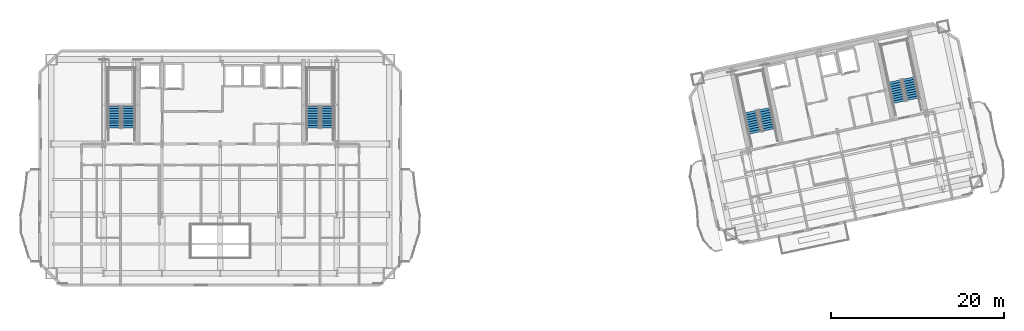
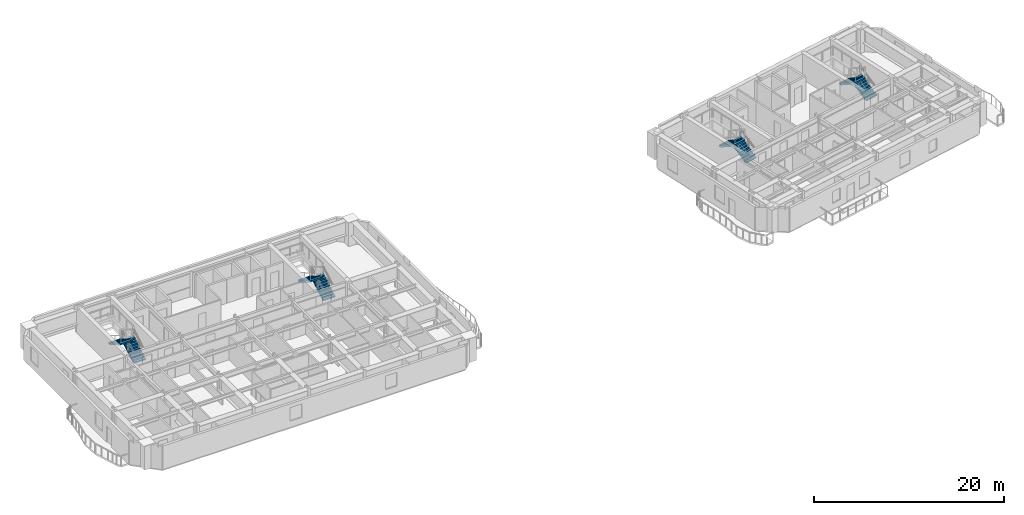
# One storey, part 12 of 16: 8 stair flights, 4 elements without a shape of their own.
"""IFC4 building model written with IfcOpenShell, lengths in metres."""

from ifc_helpers import new_model, si_unit, direction, frame, origin, place, context, subcontext, project, spatial, polyline, outline, extrude, material, type_object, element, aggregate, save


model = new_model("IFC4")

# Units and contexts
model_context = context("Model", 3, precision=1e-05, world=origin(), true_north=direction((0.0, 1.0)))
body_context = subcontext(model_context, "Body", "Model", "MODEL_VIEW")
ifc_project = project(units=[si_unit("LENGTHUNIT", "METRE"), si_unit("AREAUNIT", "SQUARE_METRE"), si_unit("VOLUMEUNIT", "CUBIC_METRE"), si_unit("PLANEANGLEUNIT", "RADIAN"), si_unit("MASSUNIT", "GRAM", prefix="KILO")], contexts=[model_context])

# Site, building, storey
site_placement = place(None, origin())
site = spatial("IfcSite", under=ifc_project, at=site_placement, CompositionType="ELEMENT")
building_placement = place(site_placement, origin())
building = spatial("IfcBuilding", under=site, at=building_placement, Name="Haevon Station Towers", CompositionType="ELEMENT")
storey_placement = place(building_placement, frame((0.0, 0.0, 172.5)))
storey = spatial("IfcBuildingStorey", under=building, at=storey_placement, Name="L47", CompositionType="ELEMENT", Elevation=172.5)

# Stair, stair flights
ifc_material = material(Name="Concrete C40/50", Category="concrete")
stair_type = type_object("IfcStairType", Name="STR-DL1450", PredefinedType="USERDEFINED", material=ifc_material)
stair_1_placement = place(storey_placement, origin())
stair_1 = element("IfcStair", 1, at=stair_1_placement, inside=storey, type_object=stair_type, Name="L47 Escape Stair ST1", ObjectType="TWO_RETURN_STAIR", PredefinedType="USERDEFINED")
stair_flight_type = type_object("IfcStairFlightType", Name="STF-ST1450", PredefinedType="STRAIGHT", material=ifc_material)
stair_flight_1_placement = place(storey_placement, frame((26.85498046875, 40.050048828125, 0.0), z_axis=(0.0, 0.0, 1.0), x_axis=(0.0, 1.0, 0.0)))
stair_flight_1 = element("IfcStairFlight", 2, at=stair_flight_1_placement, type_object=stair_flight_type, Name="L47 ST1 Flight 1", NumberOfRisers=10, NumberOfTreads=9, PredefinedType="STRAIGHT", RiserHeight=0.165, TreadLength=0.28, context=body_context, shape_type="SweptSolid", body=[
    extrude(outline(polyline([(0.0, 0.0), (0.0, 0.1650390625), (0.280029296875, 0.1650390625), (0.280029296875, 0.330078125), (0.56005859375, 0.330078125), (0.56005859375, 0.4951171875), (0.840087890625, 0.4951171875), (0.840087890625, 0.659912109375), (1.1201171875, 0.659912109375), (1.1201171875, 0.824951171875), (1.39990234375, 0.824951171875), (1.39990234375, 0.989990234375), (1.679931640625, 0.989990234375), (1.679931640625, 1.155029296875), (1.9599609375, 1.155029296875), (1.9599609375, 1.320068359375), (2.239990234375, 1.320068359375), (2.239990234375, 1.485107421875), (2.52001953125, 1.485107421875), (2.52001953125, 1.64990234375), (2.52001953125, 1.29931640625), (0.31494140625, 0.0), (0.0, 0.0)])), frame((0.0, 0.72509765625, 0.0), z_axis=(0.0, -1.0, 0.0), x_axis=(1.0, 0.0, 0.0)), (0.0, 0.0, 1.0), 1.449951171875),
])
stair_flight_2_placement = place(storey_placement, frame((25.205078125, 42.570068359375, 1.64990234375), z_axis=(0.0, 0.0, 1.0), x_axis=(0.0, -1.0, 0.0)))
stair_flight_2 = element("IfcStairFlight", 3, at=stair_flight_2_placement, type_object=stair_flight_type, Name="L47 ST1 Flight 2", NumberOfRisers=10, NumberOfTreads=9, PredefinedType="STRAIGHT", RiserHeight=0.165, TreadLength=0.28, context=body_context, shape_type="SweptSolid", body=[
    extrude(outline(polyline([(0.0, 0.0), (0.0, 0.1650390625), (0.280029296875, 0.1650390625), (0.280029296875, 0.330078125), (0.56005859375, 0.330078125), (0.56005859375, 0.4951171875), (0.840087890625, 0.4951171875), (0.840087890625, 0.659912109375), (1.1201171875, 0.659912109375), (1.1201171875, 0.824951171875), (1.39990234375, 0.824951171875), (1.39990234375, 0.989990234375), (1.679931640625, 0.989990234375), (1.679931640625, 1.155029296875), (1.9599609375, 1.155029296875), (1.9599609375, 1.320068359375), (2.239990234375, 1.320068359375), (2.239990234375, 1.485107421875), (2.52001953125, 1.485107421875), (2.52001953125, 1.64990234375), (2.52001953125, 1.29931640625), (0.31494140625, 0.0), (0.0, 0.0)])), frame((0.0, 0.72509765625, 0.0), z_axis=(0.0, -1.0, 0.0), x_axis=(1.0, 0.0, 0.0)), (0.0, 0.0, 1.0), 1.449951171875),
])
aggregate(stair_1, [stair_flight_1, stair_flight_2])

stair_2_placement = place(storey_placement, origin())
stair_2 = element("IfcStair", 4, at=stair_2_placement, inside=storey, type_object=stair_type, Name="L47 Escape Stair ST2", ObjectType="TWO_RETURN_STAIR", PredefinedType="USERDEFINED")
stair_flight_3_placement = place(storey_placement, frame((49.89501953125, 40.050048828125, 0.0), z_axis=(0.0, 0.0, 1.0), x_axis=(0.0, 1.0, 0.0)))
stair_flight_3 = element("IfcStairFlight", 5, at=stair_flight_3_placement, type_object=stair_flight_type, Name="L47 ST2 Flight 1", NumberOfRisers=10, NumberOfTreads=9, PredefinedType="STRAIGHT", RiserHeight=0.165, TreadLength=0.28, context=body_context, shape_type="SweptSolid", body=[
    extrude(outline(polyline([(0.0, 0.0), (0.0, 0.1650390625), (0.280029296875, 0.1650390625), (0.280029296875, 0.330078125), (0.56005859375, 0.330078125), (0.56005859375, 0.4951171875), (0.840087890625, 0.4951171875), (0.840087890625, 0.659912109375), (1.1201171875, 0.659912109375), (1.1201171875, 0.824951171875), (1.39990234375, 0.824951171875), (1.39990234375, 0.989990234375), (1.679931640625, 0.989990234375), (1.679931640625, 1.155029296875), (1.9599609375, 1.155029296875), (1.9599609375, 1.320068359375), (2.239990234375, 1.320068359375), (2.239990234375, 1.485107421875), (2.52001953125, 1.485107421875), (2.52001953125, 1.64990234375), (2.52001953125, 1.29931640625), (0.31494140625, 0.0), (0.0, 0.0)])), frame((0.0, 0.72509765625, 0.0), z_axis=(0.0, -1.0, 0.0), x_axis=(1.0, 0.0, 0.0)), (0.0, 0.0, 1.0), 1.449951171875),
])
stair_flight_4_placement = place(storey_placement, frame((48.2451171875, 42.570068359375, 1.64990234375), z_axis=(0.0, 0.0, 1.0), x_axis=(0.0, -1.0, 0.0)))
stair_flight_4 = element("IfcStairFlight", 6, at=stair_flight_4_placement, type_object=stair_flight_type, Name="L47 ST2 Flight 2", NumberOfRisers=10, NumberOfTreads=9, PredefinedType="STRAIGHT", RiserHeight=0.165, TreadLength=0.28, context=body_context, shape_type="SweptSolid", body=[
    extrude(outline(polyline([(0.0, 0.0), (0.0, 0.1650390625), (0.280029296875, 0.1650390625), (0.280029296875, 0.330078125), (0.56005859375, 0.330078125), (0.56005859375, 0.4951171875), (0.840087890625, 0.4951171875), (0.840087890625, 0.659912109375), (1.1201171875, 0.659912109375), (1.1201171875, 0.824951171875), (1.39990234375, 0.824951171875), (1.39990234375, 0.989990234375), (1.679931640625, 0.989990234375), (1.679931640625, 1.155029296875), (1.9599609375, 1.155029296875), (1.9599609375, 1.320068359375), (2.239990234375, 1.320068359375), (2.239990234375, 1.485107421875), (2.52001953125, 1.485107421875), (2.52001953125, 1.64990234375), (2.52001953125, 1.29931640625), (0.31494140625, 0.0), (0.0, 0.0)])), frame((0.0, 0.72509765625, 0.0), z_axis=(0.0, -1.0, 0.0), x_axis=(1.0, 0.0, 0.0)), (0.0, 0.0, 1.0), 1.449951171875),
])
aggregate(stair_2, [stair_flight_3, stair_flight_4])

stair_3_placement = place(storey_placement, origin())
stair_3 = element("IfcStair", 7, at=stair_3_placement, inside=storey, type_object=stair_type, Name="L47 Escape Stair ST3", ObjectType="TWO_RETURN_STAIR", PredefinedType="USERDEFINED")
stair_flight_5_placement = place(storey_placement, frame((101.1015625, 39.8330078125, 0.0), z_axis=(0.0, 0.0, 1.0), x_axis=(-0.207911690818, 0.978147600734, 0.0)))
stair_flight_5 = element("IfcStairFlight", 8, at=stair_flight_5_placement, type_object=stair_flight_type, Name="L47 ST3 Flight 1", NumberOfRisers=10, NumberOfTreads=9, PredefinedType="STRAIGHT", RiserHeight=0.165, TreadLength=0.28, context=body_context, shape_type="SweptSolid", body=[
    extrude(outline(polyline([(0.0, 0.0), (0.0, 0.1650390625), (0.280029296875, 0.1650390625), (0.280029296875, 0.330078125), (0.56005859375, 0.330078125), (0.56005859375, 0.4951171875), (0.840087890625, 0.4951171875), (0.840087890625, 0.659912109375), (1.1201171875, 0.659912109375), (1.1201171875, 0.824951171875), (1.39990234375, 0.824951171875), (1.39990234375, 0.989990234375), (1.679931640625, 0.989990234375), (1.679931640625, 1.155029296875), (1.9599609375, 1.155029296875), (1.9599609375, 1.320068359375), (2.239990234375, 1.320068359375), (2.239990234375, 1.485107421875), (2.52001953125, 1.485107421875), (2.52001953125, 1.64990234375), (2.52001953125, 1.29931640625), (0.31494140625, 0.0), (0.0, 0.0)])), frame((0.0, 0.72509765625, 0.0), z_axis=(0.0, -1.0, 0.0), x_axis=(1.0, 0.0, 0.0)), (0.0, 0.0, 1.0), 1.449951171875),
])
stair_flight_6_placement = place(storey_placement, frame((98.9638671875, 41.955078125, 1.64990234375), z_axis=(0.0, 0.0, 1.0), x_axis=(0.207911690818, -0.978147600734, 0.0)))
stair_flight_6 = element("IfcStairFlight", 9, at=stair_flight_6_placement, type_object=stair_flight_type, Name="L47 ST3 Flight 2", NumberOfRisers=10, NumberOfTreads=9, PredefinedType="STRAIGHT", RiserHeight=0.165, TreadLength=0.28, context=body_context, shape_type="SweptSolid", body=[
    extrude(outline(polyline([(0.0, 0.0), (0.0, 0.1650390625), (0.280029296875, 0.1650390625), (0.280029296875, 0.330078125), (0.56005859375, 0.330078125), (0.56005859375, 0.4951171875), (0.840087890625, 0.4951171875), (0.840087890625, 0.659912109375), (1.1201171875, 0.659912109375), (1.1201171875, 0.824951171875), (1.39990234375, 0.824951171875), (1.39990234375, 0.989990234375), (1.679931640625, 0.989990234375), (1.679931640625, 1.155029296875), (1.9599609375, 1.155029296875), (1.9599609375, 1.320068359375), (2.239990234375, 1.320068359375), (2.239990234375, 1.485107421875), (2.52001953125, 1.485107421875), (2.52001953125, 1.64990234375), (2.52001953125, 1.29931640625), (0.31494140625, 0.0), (0.0, 0.0)])), frame((0.0, 0.72509765625, 0.0), z_axis=(0.0, -1.0, 0.0), x_axis=(1.0, 0.0, 0.0)), (0.0, 0.0, 1.0), 1.449951171875),
])
aggregate(stair_3, [stair_flight_5, stair_flight_6])

stair_4_placement = place(storey_placement, origin())
stair_4 = element("IfcStair", 10, at=stair_4_placement, inside=storey, type_object=stair_type, Name="L47 Escape Stair ST4", ObjectType="TWO_RETURN_STAIR", PredefinedType="USERDEFINED")
stair_flight_7_placement = place(storey_placement, frame((117.788818359375, 43.380126953125, 0.0), z_axis=(0.0, 0.0, 1.0), x_axis=(-0.207911690818, 0.978147600734, 0.0)))
stair_flight_7 = element("IfcStairFlight", 11, at=stair_flight_7_placement, type_object=stair_flight_type, Name="L47 ST4 Flight 1", NumberOfRisers=10, NumberOfTreads=9, PredefinedType="STRAIGHT", RiserHeight=0.165, TreadLength=0.28, context=body_context, shape_type="SweptSolid", body=[
    extrude(outline(polyline([(0.0, 0.0), (0.0, 0.1650390625), (0.280029296875, 0.1650390625), (0.280029296875, 0.330078125), (0.56005859375, 0.330078125), (0.56005859375, 0.4951171875), (0.840087890625, 0.4951171875), (0.840087890625, 0.659912109375), (1.1201171875, 0.659912109375), (1.1201171875, 0.824951171875), (1.39990234375, 0.824951171875), (1.39990234375, 0.989990234375), (1.679931640625, 0.989990234375), (1.679931640625, 1.155029296875), (1.9599609375, 1.155029296875), (1.9599609375, 1.320068359375), (2.239990234375, 1.320068359375), (2.239990234375, 1.485107421875), (2.52001953125, 1.485107421875), (2.52001953125, 1.64990234375), (2.52001953125, 1.29931640625), (0.31494140625, 0.0), (0.0, 0.0)])), frame((0.0, 0.72509765625, 0.0), z_axis=(0.0, -1.0, 0.0), x_axis=(1.0, 0.0, 0.0)), (0.0, 0.0, 1.0), 1.449951171875),
])
stair_flight_8_placement = place(storey_placement, frame((115.65087890625, 45.501953125, 1.64990234375), z_axis=(0.0, 0.0, 1.0), x_axis=(0.207911690818, -0.978147600734, 0.0)))
stair_flight_8 = element("IfcStairFlight", 12, at=stair_flight_8_placement, type_object=stair_flight_type, Name="L47 ST4 Flight 2", NumberOfRisers=10, NumberOfTreads=9, PredefinedType="STRAIGHT", RiserHeight=0.165, TreadLength=0.28, context=body_context, shape_type="SweptSolid", body=[
    extrude(outline(polyline([(0.0, 0.0), (0.0, 0.1650390625), (0.280029296875, 0.1650390625), (0.280029296875, 0.330078125), (0.56005859375, 0.330078125), (0.56005859375, 0.4951171875), (0.840087890625, 0.4951171875), (0.840087890625, 0.659912109375), (1.1201171875, 0.659912109375), (1.1201171875, 0.824951171875), (1.39990234375, 0.824951171875), (1.39990234375, 0.989990234375), (1.679931640625, 0.989990234375), (1.679931640625, 1.155029296875), (1.9599609375, 1.155029296875), (1.9599609375, 1.320068359375), (2.239990234375, 1.320068359375), (2.239990234375, 1.485107421875), (2.52001953125, 1.485107421875), (2.52001953125, 1.64990234375), (2.52001953125, 1.29931640625), (0.31494140625, 0.0), (0.0, 0.0)])), frame((0.0, 0.72509765625, 0.0), z_axis=(0.0, -1.0, 0.0), x_axis=(1.0, 0.0, 0.0)), (0.0, 0.0, 1.0), 1.449951171875),
])
aggregate(stair_4, [stair_flight_7, stair_flight_8])

save(model, "model.ifc")
